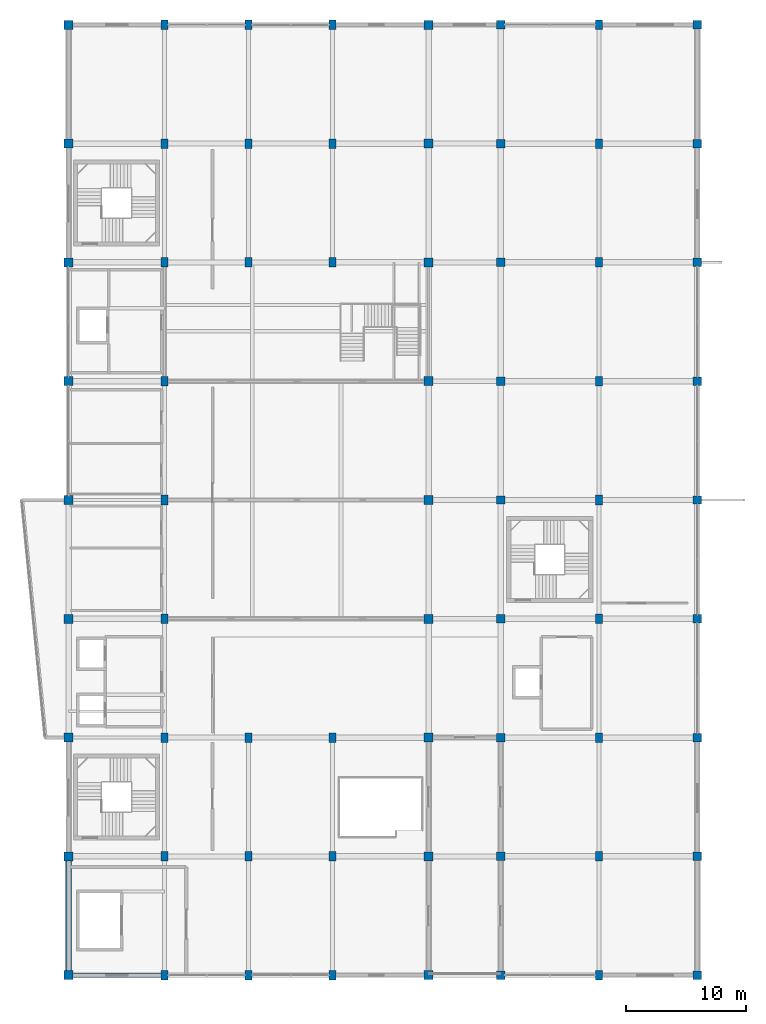
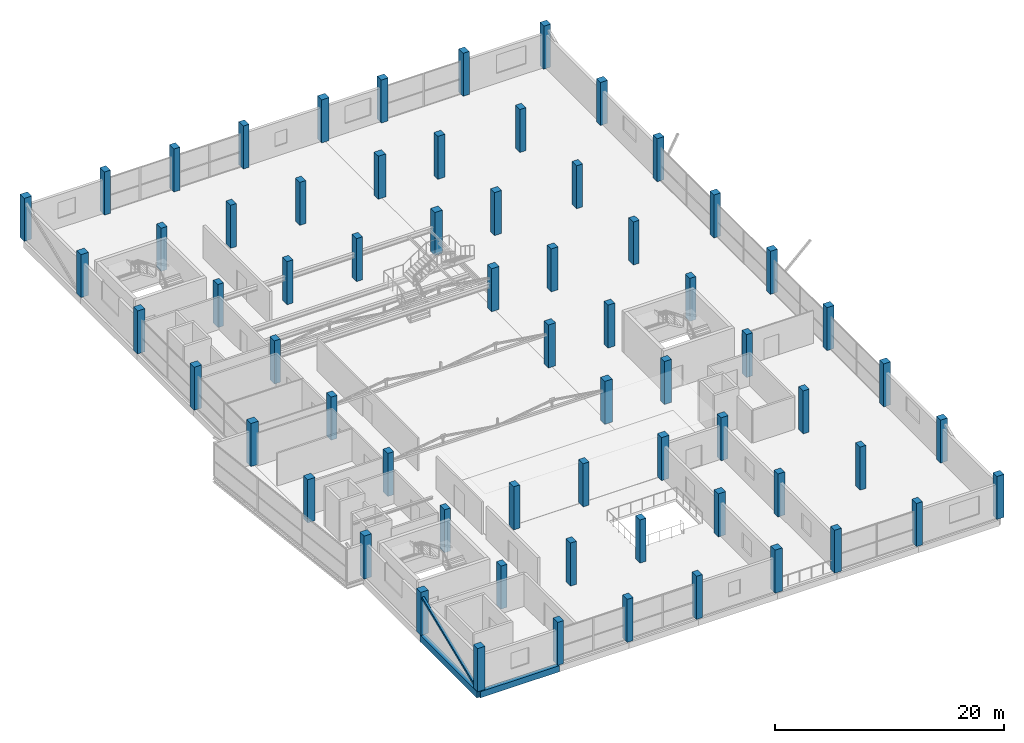
# One storey, part 1 of 49: 66 columns, 2 beams, 1 member.
"""IFC4 building model written with IfcOpenShell, lengths in metres."""

from ifc_helpers import new_model, si_unit, direction, frame, origin, origin_2d, place, context, subcontext, project, spatial, rectangle, hollow_rectangle, extrude, material, material_profile, profile_set, type_object, element, save


model = new_model("IFC4")

# Units and contexts
model_context = context("Model", 3, precision=1e-05, world=origin(), true_north=direction((0.0, 1.0)))
body_context = subcontext(model_context, "Body", "Model", "MODEL_VIEW")
ifc_project = project(units=[si_unit("LENGTHUNIT", "METRE"), si_unit("AREAUNIT", "SQUARE_METRE"), si_unit("VOLUMEUNIT", "CUBIC_METRE"), si_unit("PLANEANGLEUNIT", "RADIAN"), si_unit("MASSUNIT", "GRAM", prefix="KILO")], contexts=[model_context])

# Site, building, storey
site_placement = place(None, origin())
site = spatial("IfcSite", under=ifc_project, at=site_placement, CompositionType="ELEMENT")
building_placement = place(site_placement, origin())
building = spatial("IfcBuilding", under=site, at=building_placement, Name="Sillaruma Civic Art Gallery", CompositionType="ELEMENT")
storey_placement = place(building_placement, frame((0.0, 0.0, 33.14990234375)))
storey = spatial("IfcBuildingStorey", under=building, at=storey_placement, Name="L06", CompositionType="ELEMENT", Elevation=33.14990234375)

# Columns
ifc_material_1 = material(Name="Concrete H40 (40 MPa)", Category="concrete")
ifc_material_profile_1 = material_profile(ifc_material_1, rectangle(XDim=0.699951171875, YDim=0.699951171875, at=origin_2d()), Name="RC700x700")
ifc_profile_set_1 = profile_set([ifc_material_profile_1], Name="Concrete H40 (40 MPa)")
column_type_1 = type_object("IfcColumnType", Name="COL-COLUMN-RC700x700", PredefinedType="COLUMN", material=ifc_profile_set_1)
for number, where, z_axis, x_axis, name in (
    (1, (98.0, 19.800048828125, 0.0), (0.0, 0.0, 1.0), (1.0, 0.0, 0.0), "Column C-06 (L06:L3)"),
    (2, (98.0, 29.699951171875, 0.0), (0.0, 0.0, 1.0), (1.0, 0.0, 0.0), "Column C-06 (L06:L4)"),
    (3, (98.0, 39.60009765625, 0.0), (0.0, 0.0, 1.0), (1.0, 0.0, 0.0), "Column C-06 (L06:L5)"),
    (4, (98.0, 49.5, 0.0), (0.0, 0.0, 1.0), (1.0, 0.0, 0.0), "Column C-06 (L06:L6)"),
    (5, (98.0, 59.39990234375, 0.0), (0.0, 0.0, 1.0), (1.0, 0.0, 0.0), "Column C-06 (L06:L7)"),
    (6, (98.0, 69.300048828125, 0.0), (0.0, 0.0, 1.0), (1.0, 0.0, 0.0), "Column C-06 (L06:L8)"),
    (7, (98.0, 79.199951171875, 0.0), (0.0, 0.0, 1.0), (1.0, 0.0, 0.0), "Column C-06 (L06:L9)"),
    (8, (98.0, 89.10009765625, 0.0), (0.0, 0.0, 1.0), (1.0, 0.0, 0.0), "Column C-06 (L06:L10)"),
    (9, (98.0, 99.0, 0.0), (0.0, 0.0, 1.0), (1.0, 0.0, 0.0), "Column C-06 (L06:L11)"),
    (10, (114.39990234375, 19.800048828125, 0.0), (0.0, 0.0, 1.0), (1.0, 0.0, 0.0), "Column C-06 (L06:N3)"),
    (11, (114.39990234375, 29.699951171875, 0.0), (0.0, 0.0, 1.0), (1.0, 0.0, 0.0), "Column C-06 (L06:N4)"),
    (12, (114.39990234375, 39.60009765625, 0.0), (0.0, 0.0, 1.0), (1.0, 0.0, 0.0), "Column C-06 (L06:N5)"),
    (13, (114.39990234375, 49.5, 0.0), (0.0, 0.0, 1.0), (1.0, 0.0, 0.0), "Column C-06 (L06:N6)"),
    (14, (114.39990234375, 59.39990234375, 0.0), (0.0, 0.0, 1.0), (1.0, 0.0, 0.0), "Column C-06 (L06:N7)"),
    (15, (114.39990234375, 69.300048828125, 0.0), (0.0, 0.0, 1.0), (1.0, 0.0, 0.0), "Column C-06 (L06:N8)"),
    (16, (114.39990234375, 79.199951171875, 0.0), (0.0, 0.0, 1.0), (1.0, 0.0, 0.0), "Column C-06 (L06:N9)"),
    (17, (114.39990234375, 89.10009765625, 0.0), (0.0, 0.0, 1.0), (1.0, 0.0, 0.0), "Column C-06 (L06:N10)"),
    (18, (114.39990234375, 99.0, 0.0), (0.0, 0.0, 1.0), (1.0, 0.0, 0.0), "Column C-06 (L06:N11)"),
):
    element("IfcColumn", number, at=place(storey_placement, frame(where, z_axis=z_axis, x_axis=x_axis)), inside=storey, type_object=column_type_1, Name=name, PredefinedType="COLUMN", context=body_context, shape_type="SweptSolid", body=[
        extrude(rectangle(XDim=0.699951171875, YDim=0.699951171875, at=origin_2d()), origin(), (0.0, 0.0, 1.0), 4.590087890625),
    ])
ifc_material_profile_2 = material_profile(ifc_material_1, rectangle(XDim=0.75, YDim=0.75, at=origin_2d()), Name="RC750x750")
ifc_profile_set_2 = profile_set([ifc_material_profile_2], Name="Concrete H40 (40 MPa)")
column_type_2 = type_object("IfcColumnType", Name="COL-COLUMN-RC750x750", PredefinedType="COLUMN", material=ifc_profile_set_2)
for number, where, z_axis, x_axis, name in (
    (19, (62.0, 19.800048828125, 0.0), (0.0, 0.0, 1.0), (1.0, 0.0, 0.0), "Column C-05 (L06:F3)"),
    (20, (62.0, 29.699951171875, 0.0), (0.0, 0.0, 1.0), (1.0, 0.0, 0.0), "Column C-05 (L06:F4)"),
    (21, (62.0, 39.60009765625, 0.0), (0.0, 0.0, 1.0), (1.0, 0.0, 0.0), "Column C-05 (L06:F5)"),
    (22, (62.0, 49.5, 0.0), (0.0, 0.0, 1.0), (1.0, 0.0, 0.0), "Column C-05 (L06:F6)"),
    (23, (62.0, 59.39990234375, 0.0), (0.0, 0.0, 1.0), (1.0, 0.0, 0.0), "Column C-05 (L06:F7)"),
    (24, (62.0, 69.300048828125, 0.0), (0.0, 0.0, 1.0), (1.0, 0.0, 0.0), "Column C-05 (L06:F8)"),
    (25, (62.0, 79.199951171875, 0.0), (0.0, 0.0, 1.0), (1.0, 0.0, 0.0), "Column C-05 (L06:F9)"),
    (26, (62.0, 89.10009765625, 0.0), (0.0, 0.0, 1.0), (1.0, 0.0, 0.0), "Column C-05 (L06:F10)"),
    (27, (62.0, 99.0, 0.0), (0.0, 0.0, 1.0), (1.0, 0.0, 0.0), "Column C-05 (L06:F11)"),
    (28, (92.0, 19.800048828125, 0.0), (0.0, 0.0, 1.0), (1.0, 0.0, 0.0), "Column C-05 (L06:K3)"),
    (29, (92.0, 29.699951171875, 0.0), (0.0, 0.0, 1.0), (1.0, 0.0, 0.0), "Column C-05 (L06:K4)"),
    (30, (92.0, 39.60009765625, 0.0), (0.0, 0.0, 1.0), (1.0, 0.0, 0.0), "Column C-05 (L06:K5)"),
    (31, (92.0, 49.5, 0.0), (0.0, 0.0, 1.0), (1.0, 0.0, 0.0), "Column C-05 (L06:K6)"),
    (32, (92.0, 59.39990234375, 0.0), (0.0, 0.0, 1.0), (1.0, 0.0, 0.0), "Column C-05 (L06:K7)"),
    (33, (92.0, 69.300048828125, 0.0), (0.0, 0.0, 1.0), (1.0, 0.0, 0.0), "Column C-05 (L06:K8)"),
    (34, (92.0, 79.199951171875, 0.0), (0.0, 0.0, 1.0), (1.0, 0.0, 0.0), "Column C-05 (L06:K9)"),
    (35, (92.0, 89.10009765625, 0.0), (0.0, 0.0, 1.0), (1.0, 0.0, 0.0), "Column C-05 (L06:K10)"),
    (36, (92.0, 99.0, 0.0), (0.0, 0.0, 1.0), (1.0, 0.0, 0.0), "Column C-05 (L06:K11)"),
):
    element("IfcColumn", number, at=place(storey_placement, frame(where, z_axis=z_axis, x_axis=x_axis)), inside=storey, type_object=column_type_2, Name=name, PredefinedType="COLUMN", context=body_context, shape_type="SweptSolid", body=[
        extrude(rectangle(XDim=0.75, YDim=0.75, at=origin_2d()), origin(), (0.0, 0.0, 1.0), 4.590087890625),
    ])
ifc_material_profile_3 = material_profile(ifc_material_1, rectangle(XDim=0.60009765625, YDim=0.800048828125, at=origin_2d()), Name="RC800x600")
ifc_profile_set_3 = profile_set([ifc_material_profile_3], Name="Concrete H40 (40 MPa)")
column_type_3 = type_object("IfcColumnType", Name="COL-COLUMN-RC800x600", PredefinedType="COLUMN", material=ifc_profile_set_3)
for number, where, z_axis, x_axis, name in (
    (37, (70.0, 19.800048828125, 0.0), (0.0, 0.0, 1.0), (1.0, 0.0, 0.0), "Column C-10 (L06:G3)"),
    (38, (70.0, 29.699951171875, 0.0), (0.0, 0.0, 1.0), (1.0, 0.0, 0.0), "Column C-10 (L06:G4)"),
    (39, (70.0, 39.60009765625, 0.0), (0.0, 0.0, 1.0), (1.0, 0.0, 0.0), "Column C-10 (L06:G5)"),
    (40, (70.0, 49.5, 0.0), (0.0, 0.0, 1.0), (1.0, 0.0, 0.0), "Column C-10 (L06:G6)"),
    (41, (70.0, 59.39990234375, 0.0), (0.0, 0.0, 1.0), (1.0, 0.0, 0.0), "Column C-10 (L06:G7)"),
    (42, (70.0, 69.300048828125, 0.0), (0.0, 0.0, 1.0), (1.0, 0.0, 0.0), "Column C-10 (L06:G8)"),
    (43, (70.0, 79.199951171875, 0.0), (0.0, 0.0, 1.0), (1.0, 0.0, 0.0), "Column C-10 (L06:G9)"),
    (44, (70.0, 89.10009765625, 0.0), (0.0, 0.0, 1.0), (1.0, 0.0, 0.0), "Column C-10 (L06:G10)"),
    (45, (70.0, 99.0, 0.0), (0.0, 0.0, 1.0), (1.0, 0.0, 0.0), "Column C-10 (L06:G11)"),
    (46, (77.0, 19.800048828125, 0.0), (0.0, 0.0, 1.0), (1.0, 0.0, 0.0), "Column C-10 (L06:H3)"),
    (47, (77.0, 29.699951171875, 0.0), (0.0, 0.0, 1.0), (1.0, 0.0, 0.0), "Column C-10 (L06:H4)"),
    (48, (77.0, 39.60009765625, 0.0), (0.0, 0.0, 1.0), (1.0, 0.0, 0.0), "Column C-10 (L06:H5)"),
    (49, (77.0, 79.199951171875, 0.0), (0.0, 0.0, 1.0), (1.0, 0.0, 0.0), "Column C-10 (L06:H9)"),
    (50, (77.0, 89.10009765625, 0.0), (0.0, 0.0, 1.0), (1.0, 0.0, 0.0), "Column C-10 (L06:H10)"),
    (51, (77.0, 99.0, 0.0), (0.0, 0.0, 1.0), (1.0, 0.0, 0.0), "Column C-10 (L06:H11)"),
    (52, (84.0, 19.800048828125, 0.0), (0.0, 0.0, 1.0), (1.0, 0.0, 0.0), "Column C-10 (L06:J3)"),
    (53, (84.0, 29.699951171875, 0.0), (0.0, 0.0, 1.0), (1.0, 0.0, 0.0), "Column C-10 (L06:J4)"),
    (54, (84.0, 39.60009765625, 0.0), (0.0, 0.0, 1.0), (1.0, 0.0, 0.0), "Column C-10 (L06:J5)"),
    (55, (84.0, 79.199951171875, 0.0), (0.0, 0.0, 1.0), (1.0, 0.0, 0.0), "Column C-10 (L06:J9)"),
    (56, (84.0, 89.10009765625, 0.0), (0.0, 0.0, 1.0), (1.0, 0.0, 0.0), "Column C-10 (L06:J10)"),
    (57, (84.0, 99.0, 0.0), (0.0, 0.0, 1.0), (1.0, 0.0, 0.0), "Column C-10 (L06:J11)"),
    (58, (106.199951171875, 19.800048828125, 0.0), (0.0, 0.0, 1.0), (1.0, 0.0, 0.0), "Column C-10 (L06:M3)"),
    (59, (106.199951171875, 29.699951171875, 0.0), (0.0, 0.0, 1.0), (1.0, 0.0, 0.0), "Column C-10 (L06:M4)"),
    (60, (106.199951171875, 39.60009765625, 0.0), (0.0, 0.0, 1.0), (1.0, 0.0, 0.0), "Column C-10 (L06:M5)"),
    (61, (106.199951171875, 49.5, 0.0), (0.0, 0.0, 1.0), (1.0, 0.0, 0.0), "Column C-10 (L06:M6)"),
    (62, (106.199951171875, 59.39990234375, 0.0), (0.0, 0.0, 1.0), (1.0, 0.0, 0.0), "Column C-10 (L06:M7)"),
    (63, (106.199951171875, 69.300048828125, 0.0), (0.0, 0.0, 1.0), (1.0, 0.0, 0.0), "Column C-10 (L06:M8)"),
    (64, (106.199951171875, 79.199951171875, 0.0), (0.0, 0.0, 1.0), (1.0, 0.0, 0.0), "Column C-10 (L06:M9)"),
    (65, (106.199951171875, 89.10009765625, 0.0), (0.0, 0.0, 1.0), (1.0, 0.0, 0.0), "Column C-10 (L06:M10)"),
    (66, (106.199951171875, 99.0, 0.0), (0.0, 0.0, 1.0), (1.0, 0.0, 0.0), "Column C-10 (L06:M11)"),
):
    element("IfcColumn", number, at=place(storey_placement, frame(where, z_axis=z_axis, x_axis=x_axis)), inside=storey, type_object=column_type_3, Name=name, PredefinedType="COLUMN", context=body_context, shape_type="SweptSolid", body=[
        extrude(rectangle(XDim=0.60009765625, YDim=0.800048828125, at=origin_2d()), origin(), (0.0, 0.0, 1.0), 4.590087890625),
    ])

# Beams
ifc_material_2 = material(Name="Concrete H35 (35 MPa)", Category="concrete")
ifc_material_profile_4 = material_profile(ifc_material_2, rectangle(XDim=0.39990234375, YDim=0.64990234375, at=origin_2d()), Name="RCB400x650")
ifc_profile_set_4 = profile_set([ifc_material_profile_4], Name="Concrete H35 (35 MPa)")
beam_type_1 = type_object("IfcBeamType", Name="BM-SPANDREL-RCB400x650", PredefinedType="SPANDREL", material=ifc_profile_set_4)
beam_1_placement = place(storey_placement, frame((62.0, 19.800048828125, -0.56494140625), z_axis=(1.0, 0.0, 0.0), x_axis=(0.0, 1.0, 0.0)))
element("IfcBeam", 67, at=beam_1_placement, inside=storey, type_object=beam_type_1, Name="Beam BS-02 (L05:3:F-G)", PredefinedType="SPANDREL", context=body_context, shape_type="SweptSolid", body=[
    extrude(rectangle(XDim=0.39990234375, YDim=0.64990234375, at=origin_2d()), origin(), (0.0, 0.0, 1.0), 8.0),
])
ifc_material_profile_5 = material_profile(ifc_material_2, rectangle(XDim=0.449951171875, YDim=0.699951171875, at=origin_2d()), Name="RCB450x700")
ifc_profile_set_5 = profile_set([ifc_material_profile_5], Name="Concrete H35 (35 MPa)")
beam_type_2 = type_object("IfcBeamType", Name="BM-SPANDREL-RCB450x700", PredefinedType="SPANDREL", material=ifc_profile_set_5)
beam_2_placement = place(storey_placement, frame((62.0, 19.800048828125, -0.58984375), z_axis=(0.0, 1.0, 0.0), x_axis=(-1.0, 0.0, 0.0)))
element("IfcBeam", 68, at=beam_2_placement, inside=storey, type_object=beam_type_2, Name="Beam BS-03 (L05:F:3-4)", PredefinedType="SPANDREL", context=body_context, shape_type="SweptSolid", body=[
    extrude(rectangle(XDim=0.449951171875, YDim=0.699951171875, at=origin_2d()), origin(), (0.0, 0.0, 1.0), 9.89990234375),
])

# Member
ifc_material_3 = material(Name="Structural Steel ASTM A500 Gr.C", Category="steel")
ifc_material_profile_6 = material_profile(ifc_material_3, hollow_rectangle(XDim=0.25, YDim=0.25, WallThickness=0.012451171875, InnerFilletRadius=0.012451171875, OuterFilletRadius=0.02490234375, at=origin_2d()), Name="HSS250x250x12.5")
ifc_profile_set_6 = profile_set([ifc_material_profile_6], Name="Structural Steel ASTM A500 Gr.C")
member_type = type_object("IfcMemberType", Name="MEM-MEGA-BRACE", PredefinedType="BRACE", material=ifc_profile_set_6)
member_placement = place(storey_placement, frame((61.85009765625, 19.97998046875, 0.10009765625), z_axis=(0.0, 0.925643523987, 0.378396705194), x_axis=(-1.0, 0.0, 0.0)))
element("IfcMember", 69, at=member_placement, inside=storey, type_object=member_type, Name="Exterior Expressed Gallery Seismic Diagonal Brace (L06-WS)", PredefinedType="BRACE", context=body_context, shape_type="SweptSolid", body=[
    extrude(hollow_rectangle(XDim=0.25, YDim=0.25, WallThickness=0.012451171875, InnerFilletRadius=0.012451171875, OuterFilletRadius=0.02490234375, at=origin_2d()), origin(), (0.0, 0.0, 1.0), 10.306396484375),
])

save(model, "model.ifc")
